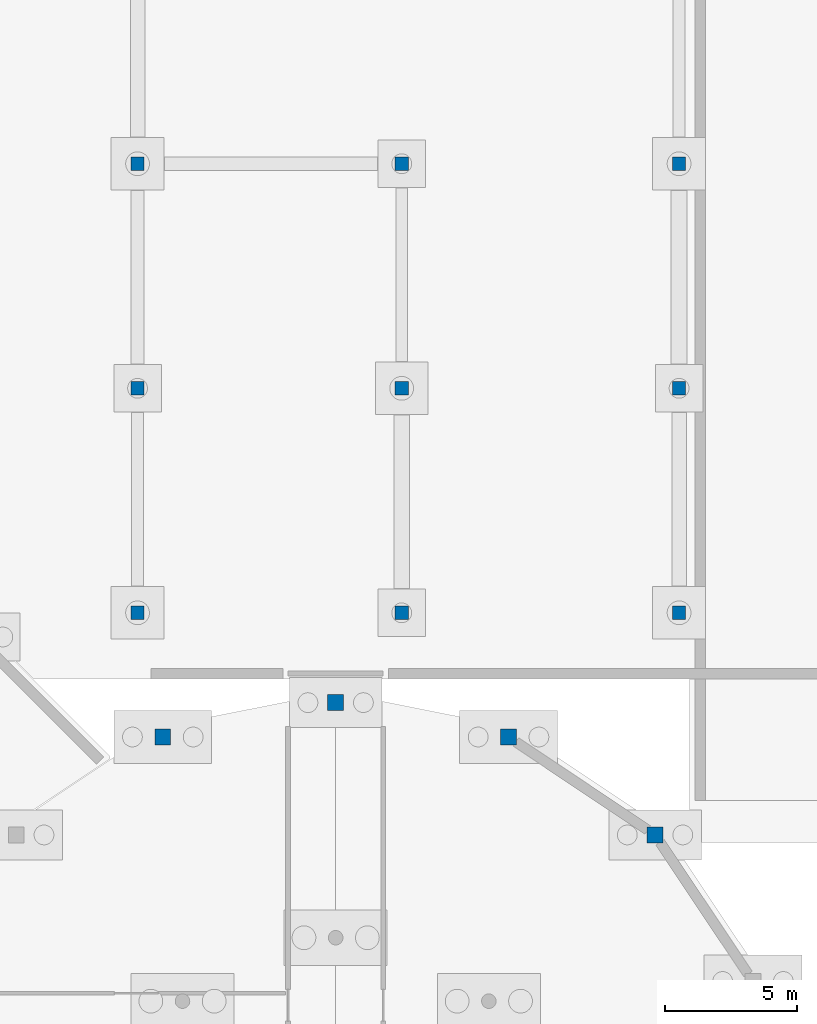
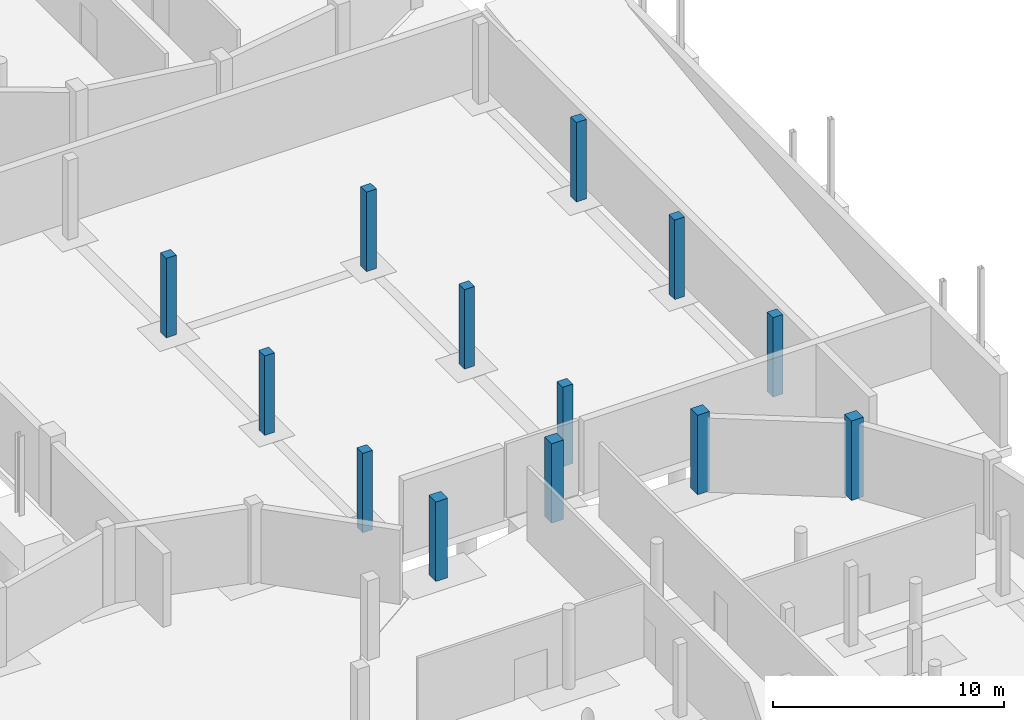
# One storey, part 23 of 43: 13 columns.
"""IFC4 building model written with IfcOpenShell, lengths in metres."""

from ifc_helpers import new_model, si_unit, direction, frame, origin, origin_2d, place, context, subcontext, project, spatial, rectangle, extrude, material, material_profile, profile_set, type_object, element, save


model = new_model("IFC4")

# Units and contexts
model_context = context("Model", 3, precision=1e-05, world=origin(), true_north=direction((0.0, 1.0)))
body_context = subcontext(model_context, "Body", "Model", "MODEL_VIEW")
ifc_project = project(units=[si_unit("LENGTHUNIT", "METRE"), si_unit("AREAUNIT", "SQUARE_METRE"), si_unit("VOLUMEUNIT", "CUBIC_METRE"), si_unit("PLANEANGLEUNIT", "RADIAN"), si_unit("MASSUNIT", "GRAM", prefix="KILO")], contexts=[model_context])

# Site, building, storey
site_placement = place(None, origin())
site = spatial("IfcSite", under=ifc_project, at=site_placement, CompositionType="ELEMENT")
building_placement = place(site_placement, origin())
building = spatial("IfcBuilding", under=site, at=building_placement, Name="Vespera Passage Community Centre", CompositionType="ELEMENT")
storey_placement = place(building_placement, frame((0.0, 0.0, -4.199951171875)))
storey = spatial("IfcBuildingStorey", under=building, at=storey_placement, Name="B1", CompositionType="ELEMENT", Elevation=-4.199951171875)

# Columns
ifc_material_1 = material(Name="Concrete f'c 45 MPa", Category="concrete")
ifc_material_profile_1 = material_profile(ifc_material_1, rectangle(XDim=0.5, YDim=0.5, at=origin_2d()), Name="RC500X500")
ifc_profile_set_1 = profile_set([ifc_material_profile_1], Name="Concrete f'c 45 MPa")
column_type_1 = type_object("IfcColumnType", Name="COL-RC500I", PredefinedType="COLUMN", material=ifc_profile_set_1)
for number, where, z_axis, x_axis, name in (
    (1, (133.5, 45.5, 0.0), (0.0, 0.0, 1.0), (1.0, 0.0, 0.0), "B1 Column GAR-C21"),
    (2, (133.5, 54.0, 0.0), (0.0, 0.0, 1.0), (1.0, 0.0, 0.0), "B1 Column GAR-C22"),
    (3, (133.5, 62.5, 0.0), (0.0, 0.0, 1.0), (1.0, 0.0, 0.0), "B1 Column GAR-C23"),
    (4, (143.5, 45.5, 0.0), (0.0, 0.0, 1.0), (1.0, 0.0, 0.0), "B1 Column GAR-C31"),
    (5, (143.5, 54.0, 0.0), (0.0, 0.0, 1.0), (1.0, 0.0, 0.0), "B1 Column GAR-C32"),
    (6, (143.5, 62.5, 0.0), (0.0, 0.0, 1.0), (1.0, 0.0, 0.0), "B1 Column GAR-C33"),
    (7, (154.0, 45.5, 0.0), (0.0, 0.0, 1.0), (1.0, 0.0, 0.0), "B1 Column GAR-C41"),
    (8, (154.0, 54.0, 0.0), (0.0, 0.0, 1.0), (1.0, 0.0, 0.0), "B1 Column GAR-C42"),
    (9, (154.0, 62.5, 0.0), (0.0, 0.0, 1.0), (1.0, 0.0, 0.0), "B1 Column GAR-C43"),
):
    element("IfcColumn", number, at=place(storey_placement, frame(where, z_axis=z_axis, x_axis=x_axis)), inside=storey, type_object=column_type_1, Name=name, PredefinedType="COLUMN", context=body_context, shape_type="SweptSolid", body=[
        extrude(rectangle(XDim=0.5, YDim=0.5, at=origin_2d()), origin(), (0.0, 0.0, 1.0), 4.199951171875),
    ])
ifc_material_2 = material(Name="Concrete f'c 45 MPa", Category="concrete")
ifc_material_profile_2 = material_profile(ifc_material_2, rectangle(XDim=0.60009765625, YDim=0.60009765625, at=origin_2d()), Name="RC600X600")
ifc_profile_set_2 = profile_set([ifc_material_profile_2], Name="Concrete f'c 45 MPa")
column_type_2 = type_object("IfcColumnType", Name="COL-RC600E", PredefinedType="COLUMN", material=ifc_profile_set_2)
for number, where, z_axis, x_axis, name in (
    (10, (153.091552734375, 37.091552734375, 0.0), (0.0, 0.0, 1.0), (1.0, 0.0, 0.0), "B1 Column V3-P03"),
    (11, (147.5439453125, 40.79833984375, 0.0), (0.0, 0.0, 1.0), (1.0, 0.0, 0.0), "B1 Column V3-P04"),
    (12, (141.0, 42.10009765625, 0.0), (0.0, 0.0, 1.0), (1.0, 0.0, 0.0), "B1 Column V3-P05"),
    (13, (134.4560546875, 40.79833984375, 0.0), (0.0, 0.0, 1.0), (1.0, 0.0, 0.0), "B1 Column V3-P06"),
):
    element("IfcColumn", number, at=place(storey_placement, frame(where, z_axis=z_axis, x_axis=x_axis)), inside=storey, type_object=column_type_2, Name=name, PredefinedType="COLUMN", context=body_context, shape_type="SweptSolid", body=[
        extrude(rectangle(XDim=0.60009765625, YDim=0.60009765625, at=origin_2d()), origin(), (0.0, 0.0, 1.0), 4.199951171875),
    ])

save(model, "model.ifc")
